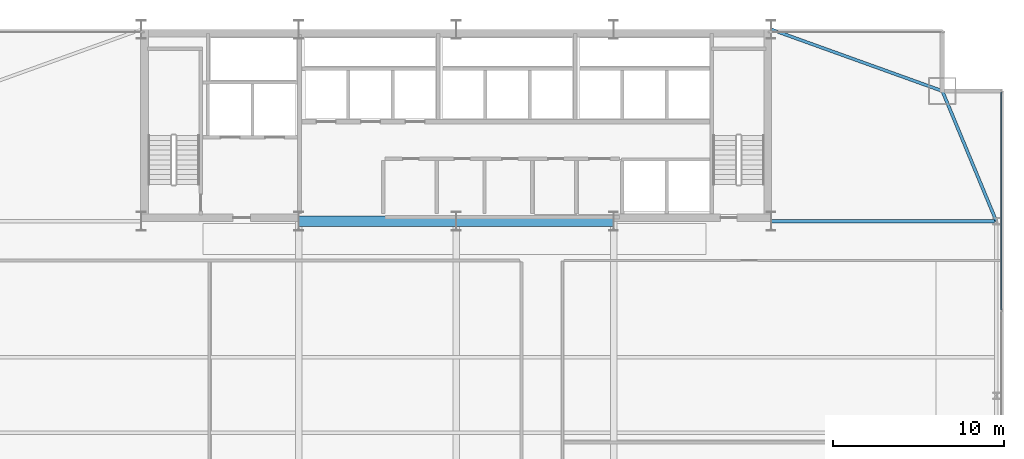
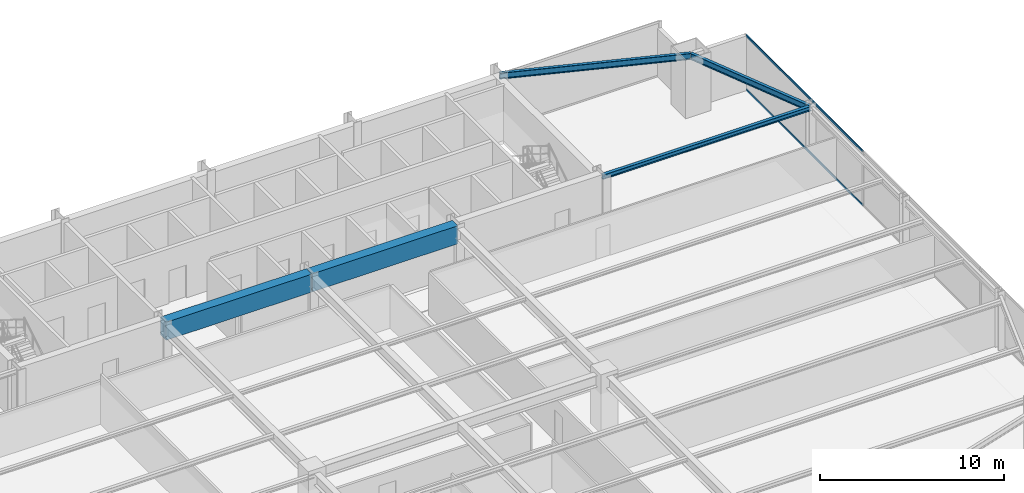
# One storey, part 23 of 30: 5 beams, 2 members, 1 element without a shape of its own.
"""IFC4 building model written with IfcOpenShell, lengths in metres."""

from ifc_helpers import new_model, si_unit, direction, frame, origin, origin_2d, place, context, subcontext, project, spatial, rectangle, hollow_rectangle, i_section, extrude, source, transform, mapped, material, layer, layer_set, material_profile, profile_set, type_object, type_shapes, element, aggregate, save


model = new_model("IFC4")

# Units and contexts
model_context = context("Model", 3, precision=1e-05, world=origin(), true_north=direction((0.0, 1.0)))
body_context = subcontext(model_context, "Body", "Model", "MODEL_VIEW")
ifc_project = project(units=[si_unit("LENGTHUNIT", "METRE"), si_unit("AREAUNIT", "SQUARE_METRE"), si_unit("VOLUMEUNIT", "CUBIC_METRE"), si_unit("PLANEANGLEUNIT", "RADIAN"), si_unit("MASSUNIT", "GRAM", prefix="KILO")], contexts=[model_context])

# Site, building, storey
site_placement = place(None, origin())
site = spatial("IfcSite", under=ifc_project, at=site_placement, CompositionType="ELEMENT")
building_placement = place(site_placement, origin())
building = spatial("IfcBuilding", under=site, at=building_placement, Name="Varnel Quay Broadcast Tower", CompositionType="ELEMENT")
storey_placement = place(building_placement, frame((0.0, 0.0, 62.699951171875)))
storey = spatial("IfcBuildingStorey", under=building, at=storey_placement, Name="L14", CompositionType="ELEMENT", Elevation=62.699951171875)

# Beams
ifc_material_1 = material(Name="Structural Steel CSA G40.21 350W", Category="steel")
ifc_material_profile_1 = material_profile(ifc_material_1, i_section(OverallWidth=0.180908203125, OverallDepth=0.4169921875, WebThickness=0.010986328125, FlangeThickness=0.018310546875, FilletRadius=0.011962890625, at=origin_2d()), Name="W410X85")
ifc_profile_set_1 = profile_set([ifc_material_profile_1], Name="Structural Steel CSA G40.21 350W")
beam_type_1 = type_object("IfcBeamType", Name="Beam_W410X85", PredefinedType="SPANDREL", material=ifc_profile_set_1)
shared_shape_1 = source(origin(), body_context, "Body", "SweptSolid", [
    extrude(i_section(OverallWidth=0.180908203125, OverallDepth=0.4169921875, WebThickness=0.010986328125, FlangeThickness=0.018310546875, FilletRadius=0.011962890625, at=origin_2d()), origin(), (0.0, 0.0, 1.0), 8.186767578125),
])
beam_1_placement = place(storey_placement, frame((65.542236328125, 35.618408203125, 3.441650390625), z_axis=(-0.382874132092, 0.923800519038, 0.0), x_axis=(-0.923800519038, -0.382874132092, 0.0)))
element("IfcBeam", 1, at=beam_1_placement, inside=storey, type_object=beam_type_1, Name="L14 East Spandrel TC-E3-MC-NE", PredefinedType="SPANDREL", context=body_context, shape_type="MappedRepresentation", body=[
    mapped(shared_shape_1, transform((0.0, 0.0, 0.0), x_axis=(1.0, 0.0, 0.0), y_axis=(0.0, 1.0, 0.0), z_axis=(0.0, 0.0, 1.0), scale=1.0)),
])
shared_shape_2 = source(origin(), body_context, "Body", "SweptSolid", [
    extrude(i_section(OverallWidth=0.180908203125, OverallDepth=0.4169921875, WebThickness=0.010986328125, FlangeThickness=0.018310546875, FilletRadius=0.011962890625, at=origin_2d()), origin(), (0.0, 0.0, 1.0), 10.58837890625),
])
type_shapes(beam_type_1, [shared_shape_1, shared_shape_2])
beam_2_placement = place(storey_placement, frame((52.418701171875, 46.793212890625, 3.441650390625), z_axis=(0.940888587605, -0.338716202321, 0.0), x_axis=(0.338716202321, 0.940888587605, 0.0)))
element("IfcBeam", 2, at=beam_2_placement, inside=storey, type_object=beam_type_1, Name="L14 NE Tie Spandrel", PredefinedType="SPANDREL", context=body_context, shape_type="MappedRepresentation", body=[
    mapped(shared_shape_2, transform((0.0, 0.0, 0.0), x_axis=(1.0, 0.0, 0.0), y_axis=(0.0, 1.0, 0.0), z_axis=(0.0, 0.0, 1.0), scale=1.0)),
])
ifc_material_2 = material(Name="Concrete CSA A23.3 C60/75", Category="concrete")
ifc_material_profile_2 = material_profile(ifc_material_2, rectangle(XDim=0.60009765625, YDim=1.199951171875, at=origin_2d()), Name="RC600X1200")
ifc_profile_set_2 = profile_set([ifc_material_profile_2], Name="Concrete CSA A23.3 C60/75")
beam_type_2 = type_object("IfcBeamType", Name="Beam_RC600X1200", PredefinedType="BEAM", material=ifc_profile_set_2)
shared_shape_3 = source(origin(), body_context, "Body", "SweptSolid", [
    extrude(rectangle(XDim=0.60009765625, YDim=1.199951171875, at=origin_2d()), origin(), (0.0, 0.0, 1.0), 9.159912109375),
])
type_shapes(beam_type_2, [shared_shape_3])
for number, where, z_axis, x_axis, name in (
    (3, (24.820068359375, 35.60009765625, 3.050048828125), (1.0, 0.0, 0.0), (0.0, 1.0, 0.0), "L14 Core Coupling Beam W"),
    (4, (34.02001953125, 35.60009765625, 3.050048828125), (1.0, 0.0, 0.0), (0.0, 1.0, 0.0), "L14 Core Coupling Beam E"),
):
    element("IfcBeam", number, at=place(storey_placement, frame(where, z_axis=z_axis, x_axis=x_axis)), inside=storey, type_object=beam_type_2, Name=name, PredefinedType="BEAM", context=body_context, shape_type="MappedRepresentation", body=[
        mapped(shared_shape_3, transform((0.0, 0.0, 0.0), x_axis=(1.0, 0.0, 0.0), y_axis=(0.0, 1.0, 0.0), z_axis=(0.0, 0.0, 1.0), scale=1.0)),
    ])
ifc_material_profile_3 = material_profile(ifc_material_1, i_section(OverallWidth=0.202880859375, OverallDepth=0.302978515625, WebThickness=0.007568359375, FlangeThickness=0.01318359375, FilletRadius=0.011962890625, at=origin_2d()), Name="W310X60")
ifc_profile_set_3 = profile_set([ifc_material_profile_3], Name="Structural Steel CSA G40.21 350W")
beam_type_3 = type_object("IfcBeamType", Name="Beam_W310X60", PredefinedType="JOIST", material=ifc_profile_set_3)
shared_shape_4 = source(origin(), body_context, "Body", "SweptSolid", [
    extrude(i_section(OverallWidth=0.202880859375, OverallDepth=0.302978515625, WebThickness=0.007568359375, FlangeThickness=0.01318359375, FilletRadius=0.011962890625, at=origin_2d()), origin(), (0.0, 0.0, 1.0), 13.110107421875),
])
type_shapes(beam_type_3, [shared_shape_4])
beam_3_placement = place(storey_placement, frame((52.419921875, 35.60009765625, 3.49853515625), z_axis=(1.0, 0.0, 0.0), x_axis=(0.0, 1.0, 0.0)))
element("IfcBeam", 5, at=beam_3_placement, inside=storey, type_object=beam_type_3, Name="L14 East Core Tie Joist", PredefinedType="JOIST", context=body_context, shape_type="MappedRepresentation", body=[
    mapped(shared_shape_4, transform((0.0, 0.0, 0.0), x_axis=(1.0, 0.0, 0.0), y_axis=(0.0, 1.0, 0.0), z_axis=(0.0, 0.0, 1.0), scale=1.0)),
])

# Curtain wall, members
ifc_material_3 = material(Name="Anodised Bronze Aluminium 6063-T6", Category="aluminium")
ifc_layer = layer(ifc_material_3, 0.18994140625, Name="Anodised Bronze Aluminium 6063-T6")
ifc_layer_set = layer_set([ifc_layer], Name="Anodised Bronze Aluminium 6063-T6")
curtain_wall_type = type_object("IfcCurtainWallType", Name="CW_LowerTower", PredefinedType="NOTDEFINED", material=ifc_layer_set)
curtain_wall_placement = place(storey_placement, origin())
curtain_wall = element("IfcCurtainWall", 6, at=curtain_wall_placement, inside=storey, type_object=curtain_wall_type, Name="L14 East Unitised Curtain Wall", PredefinedType="NOTDEFINED")
ifc_material_profile_4 = material_profile(ifc_material_3, hollow_rectangle(XDim=0.06005859375, YDim=0.14501953125, WallThickness=0.00341796875, at=origin_2d()), Name="ALU60X145X3.5")
ifc_profile_set_4 = profile_set([ifc_material_profile_4], Name="Anodised Bronze Aluminium 6063-T6")
member_type = type_object("IfcMemberType", Name="Tran_CWS-02", PredefinedType="USERDEFINED", material=ifc_profile_set_4)
shared_shape_5 = source(origin(), body_context, "Body", "SweptSolid", [
    extrude(hollow_rectangle(XDim=0.06005859375, YDim=0.14501953125, WallThickness=0.00341796875, at=origin_2d()), origin(), (0.0, 0.0, 1.0), 12.69482421875),
])
type_shapes(member_type, [shared_shape_5])
member_1_placement = place(storey_placement, frame((65.85009765625, 30.43505859375, 0.030029296875), z_axis=(0.0, 1.0, 0.0), x_axis=(-1.0, 0.0, 0.0)))
member_1 = element("IfcMember", 7, at=member_1_placement, type_object=member_type, Name="CWS-02 transom 3.1", ObjectType="TRANSOM", PredefinedType="USERDEFINED", context=body_context, shape_type="MappedRepresentation", body=[
    mapped(shared_shape_5, transform((0.0, 0.0, 0.0), x_axis=(1.0, 0.0, 0.0), y_axis=(0.0, 1.0, 0.0), z_axis=(0.0, 0.0, 1.0), scale=1.0)),
])
member_2_placement = place(storey_placement, frame((65.85009765625, 30.43505859375, 3.6201171875), z_axis=(0.0, 1.0, 0.0), x_axis=(-1.0, 0.0, 0.0)))
member_2 = element("IfcMember", 8, at=member_2_placement, type_object=member_type, Name="CWS-02 transom 3.2", ObjectType="TRANSOM", PredefinedType="USERDEFINED", context=body_context, shape_type="MappedRepresentation", body=[
    mapped(shared_shape_5, transform((0.0, 0.0, 0.0), x_axis=(1.0, 0.0, 0.0), y_axis=(0.0, 1.0, 0.0), z_axis=(0.0, 0.0, 1.0), scale=1.0)),
])
aggregate(curtain_wall, [member_1, member_2])

save(model, "model.ifc")
